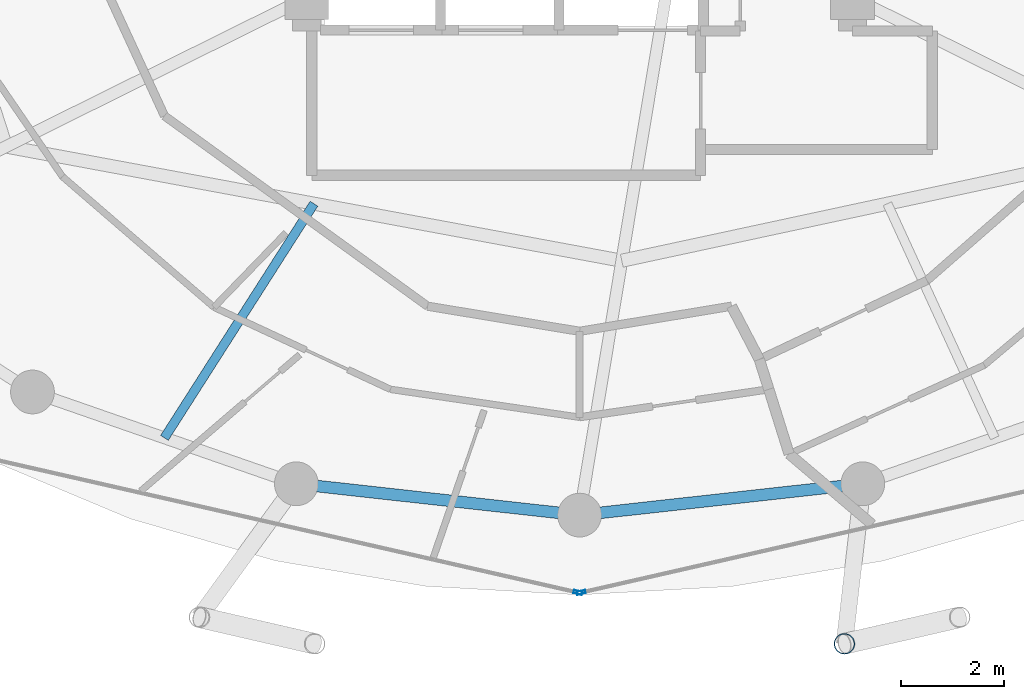
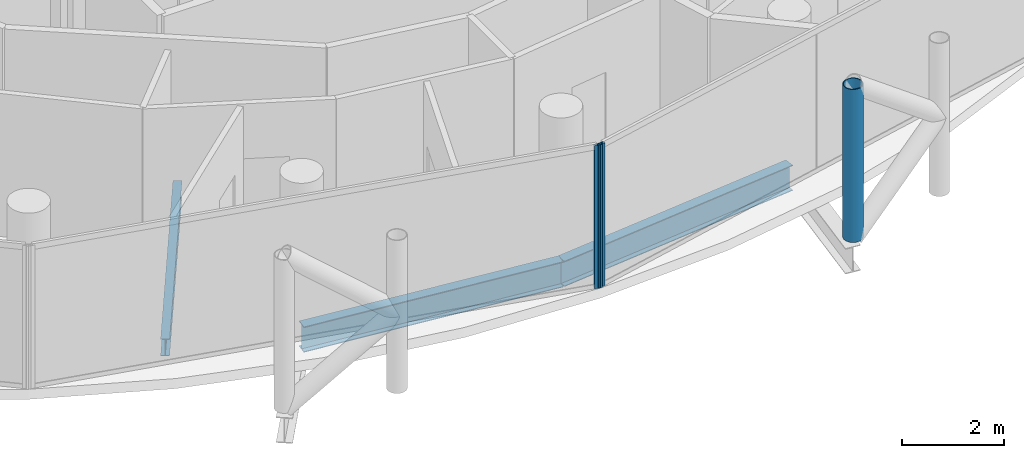
# One storey, part 5 of 27: 3 beams, 3 members, 2 elements without a shape of their own.
"""IFC4 building model written with IfcOpenShell, lengths in metres."""

from ifc_helpers import new_model, si_unit, direction, frame, origin, origin_2d, place, context, subcontext, project, spatial, hollow_rectangle, hollow_circle, i_section, extrude, material, layer, layer_set, material_profile, profile_set, type_object, element, aggregate, save


model = new_model("IFC4")

# Units and contexts
model_context = context("Model", 3, precision=1e-05, world=origin(), true_north=direction((0.0, 1.0)))
body_context = subcontext(model_context, "Body", "Model", "MODEL_VIEW")
ifc_project = project(units=[si_unit("LENGTHUNIT", "METRE"), si_unit("AREAUNIT", "SQUARE_METRE"), si_unit("VOLUMEUNIT", "CUBIC_METRE"), si_unit("PLANEANGLEUNIT", "RADIAN"), si_unit("MASSUNIT", "GRAM", prefix="KILO")], contexts=[model_context])

# Site, building, storey
site_placement = place(None, origin())
site = spatial("IfcSite", under=ifc_project, at=site_placement, CompositionType="ELEMENT")
building_placement = place(site_placement, origin())
building = spatial("IfcBuilding", under=site, at=building_placement, Name="Nuhasar Tower", CompositionType="ELEMENT")
storey_placement = place(building_placement, frame((0.0, 0.0, 241.0)))
storey = spatial("IfcBuildingStorey", under=building, at=storey_placement, Name="L59", CompositionType="ELEMENT", Elevation=241.0)

# Beams
ifc_material_1 = material(Name="Steel S355", Category="steel")
ifc_material_profile_1 = material_profile(ifc_material_1, i_section(OverallWidth=0.177978515625, OverallDepth=0.406005859375, WebThickness=0.0078125, FlangeThickness=0.0126953125, at=origin_2d()), Name="W16X40")
ifc_profile_set_1 = profile_set([ifc_material_profile_1], Name="Steel S355")
beam_type_1 = type_object("IfcBeamType", Name="BM-JST-W16X40", PredefinedType="JOIST", material=ifc_profile_set_1)
beam_placement = place(storey_placement, frame((33.842041015625, 14.998046875, -0.443115234375), z_axis=(-0.538168818546, -0.842837067733, 0.0), x_axis=(0.842837067733, -0.538168818546, 0.0)))
element("IfcBeam", 1, at=beam_placement, inside=storey, type_object=beam_type_1, Name="L59 Secondary Floor Joist 01", PredefinedType="JOIST", context=body_context, shape_type="SweptSolid", body=[
    extrude(i_section(OverallWidth=0.177978515625, OverallDepth=0.406005859375, WebThickness=0.0078125, FlangeThickness=0.0126953125, at=origin_2d()), origin(), (0.0, 0.0, 1.0), 5.396240234375),
])
ifc_material_profile_2 = material_profile(ifc_material_1, i_section(OverallWidth=0.22802734375, OverallDepth=0.60791015625, WebThickness=0.01123046875, FlangeThickness=0.017333984375, at=origin_2d()), Name="W24X76")
ifc_profile_set_2 = profile_set([ifc_material_profile_2], Name="Steel S355")
beam_type_2 = type_object("IfcBeamType", Name="BM-RING-W24X76", PredefinedType="SPANDREL", material=ifc_profile_set_2)
for number, where, z_axis, x_axis, name in (
    (2, (33.5, 9.55810546875, -0.5439453125), (0.993942242238, -0.109903680993, 0.0), (0.109903680993, 0.993942242238, 0.0), "L59 Perimeter Ring Spandrel 18"),
    (3, (39.0, 8.949951171875, -0.5439453125), (0.993942242238, 0.109903680993, 0.0), (-0.109903680993, 0.993942242238, 0.0), "L59 Perimeter Ring Spandrel 19"),
):
    element("IfcBeam", number, at=place(storey_placement, frame(where, z_axis=z_axis, x_axis=x_axis)), inside=storey, type_object=beam_type_2, Name=name, PredefinedType="SPANDREL", context=body_context, shape_type="SweptSolid", body=[
        extrude(i_section(OverallWidth=0.22802734375, OverallDepth=0.60791015625, WebThickness=0.01123046875, FlangeThickness=0.017333984375, at=origin_2d()), origin(), (0.0, 0.0, 1.0), 5.533447265625),
    ])

# Curtain wall, member
ifc_material_2 = material(Name="Aluminium 6063-T6", Category="aluminium")
ifc_layer = layer(ifc_material_2, 0.18994140625)
ifc_layer_set = layer_set([ifc_layer], Name="Aluminium 6063-T6")
curtain_wall_type = type_object("IfcCurtainWallType", Name="CW-Z3-RES", PredefinedType="NOTDEFINED", material=ifc_layer_set)
curtain_wall_1_placement = place(storey_placement, origin())
curtain_wall_1 = element("IfcCurtainWall", 4, at=curtain_wall_1_placement, inside=storey, type_object=curtain_wall_type, Name="L59 Unitised Curtain Wall 09", PredefinedType="NOTDEFINED")
ifc_material_profile_3 = material_profile(ifc_material_2, hollow_rectangle(XDim=0.06494140625, YDim=0.169921875, WallThickness=0.0048828125, at=origin_2d()), Name="CWM-4")
ifc_profile_set_3 = profile_set([ifc_material_profile_3], Name="Aluminium 6063-T6")
member_type_1 = type_object("IfcMemberType", Name="CW-MUL-S4", PredefinedType="MULLION", material=ifc_profile_set_3)
member_1_placement = place(storey_placement, frame((38.96826171875, 7.447265625, 0.0), z_axis=(0.0, 0.0, 1.0), x_axis=(0.222243176313, 0.974991266926, 0.0)))
member_1 = element("IfcMember", 5, at=member_1_placement, type_object=member_type_1, Name="CW-Z3 mullion 2", PredefinedType="MULLION", context=body_context, shape_type="SweptSolid", body=[
    extrude(hollow_rectangle(XDim=0.06494140625, YDim=0.169921875, WallThickness=0.0048828125, at=origin_2d()), origin(), (0.0, 0.0, 1.0), 3.409912109375),
])
aggregate(curtain_wall_1, [member_1])

curtain_wall_2_placement = place(storey_placement, origin())
curtain_wall_2 = element("IfcCurtainWall", 6, at=curtain_wall_2_placement, inside=storey, type_object=curtain_wall_type, Name="L59 Unitised Curtain Wall 10", PredefinedType="NOTDEFINED")
member_2_placement = place(storey_placement, frame((39.03173828125, 7.447265625, 0.0), z_axis=(0.0, 0.0, 1.0), x_axis=(-0.222243176313, 0.974991266926, 0.0)))
member_2 = element("IfcMember", 7, at=member_2_placement, type_object=member_type_1, Name="CW-Z3 mullion 1", PredefinedType="MULLION", context=body_context, shape_type="SweptSolid", body=[
    extrude(hollow_rectangle(XDim=0.06494140625, YDim=0.169921875, WallThickness=0.0048828125, at=origin_2d()), origin(), (0.0, 0.0, 1.0), 3.409912109375),
])
aggregate(curtain_wall_2, [member_2])

# Member
ifc_material_3 = material(Name="Steel S460", Category="steel")
ifc_material_profile_4 = material_profile(ifc_material_3, hollow_circle(Radius=0.203125, WallThickness=0.01904296875, at=origin_2d()), Name="HSS406.4X19.1")
ifc_profile_set_4 = profile_set([ifc_material_profile_4], Name="Steel S460")
member_type_2 = type_object("IfcMemberType", Name="EXO-BRONZE-406", PredefinedType="BRACE", material=ifc_profile_set_4)
member_3_placement = place(storey_placement, frame((44.14306640625, 6.450927734375, 0.0), z_axis=(0.0, 0.0, 1.0), x_axis=(1.0, 0.0, 0.0)))
element("IfcMember", 8, at=member_3_placement, inside=storey, type_object=member_type_2, Name="L59 Exoskeleton Chord Column EC-10A", PredefinedType="BRACE", context=body_context, shape_type="SweptSolid", body=[
    extrude(hollow_circle(Radius=0.203125, WallThickness=0.01904296875, at=origin_2d()), origin(), (0.0, 0.0, 1.0), 3.64990234375),
])

save(model, "model.ifc")
